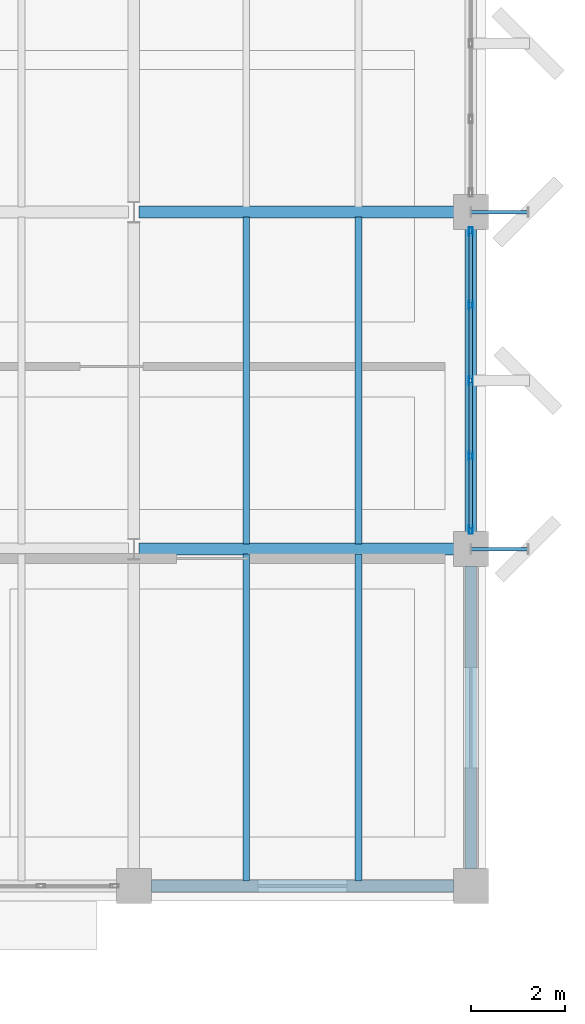
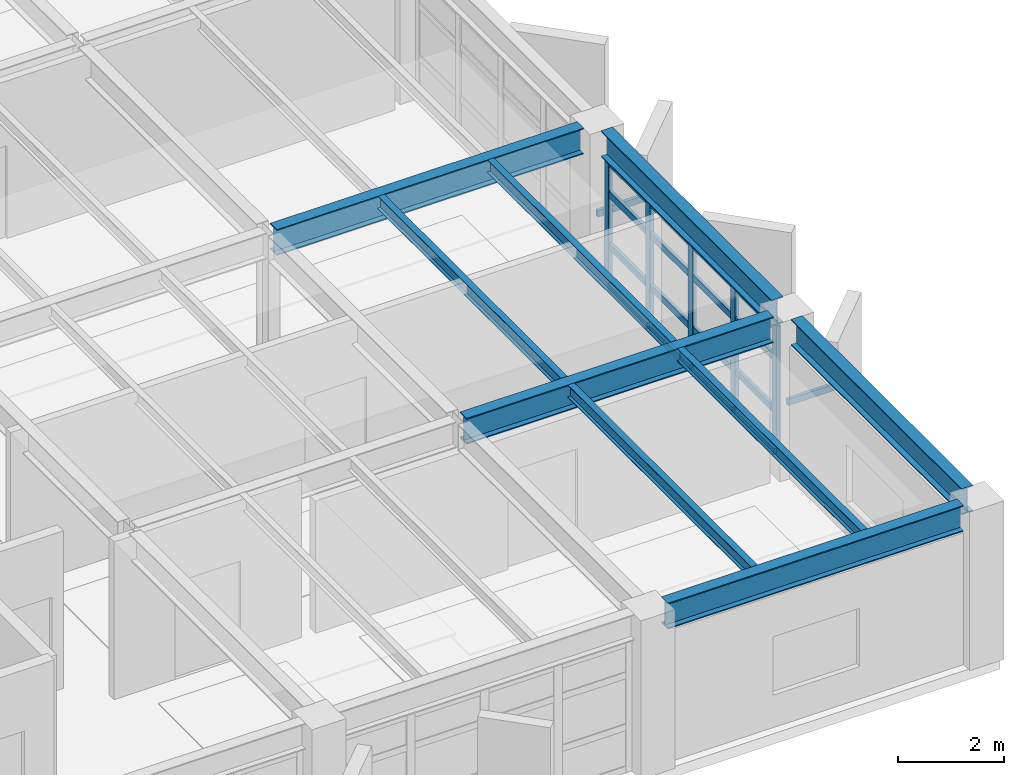
# One storey, part 12 of 24: 23 members, 9 beams, 1 element without a shape of its own.
"""IFC4 building model written with IfcOpenShell, lengths in metres."""

from ifc_helpers import new_model, si_unit, direction, frame, origin, origin_2d, place, context, subcontext, project, spatial, hollow_rectangle, i_section, extrude, material, layer, layer_set, material_profile, profile_set, type_object, element, aggregate, save


model = new_model("IFC4")

# Units and contexts
model_context = context("Model", 3, precision=1e-05, world=origin(), true_north=direction((0.0, 1.0)))
body_context = subcontext(model_context, "Body", "Model", "MODEL_VIEW")
ifc_project = project(units=[si_unit("LENGTHUNIT", "METRE"), si_unit("AREAUNIT", "SQUARE_METRE"), si_unit("VOLUMEUNIT", "CUBIC_METRE"), si_unit("PLANEANGLEUNIT", "RADIAN"), si_unit("MASSUNIT", "GRAM", prefix="KILO")], contexts=[model_context])

# Site, building, storey
site_placement = place(None, origin())
site = spatial("IfcSite", under=ifc_project, at=site_placement, CompositionType="ELEMENT")
building_placement = place(site_placement, origin())
building = spatial("IfcBuilding", under=site, at=building_placement, Name="Kandorven Conservatory and Botanical Research Centre", CompositionType="ELEMENT")
storey_placement = place(building_placement, frame((0.0, 0.0, 21.0)))
storey = spatial("IfcBuildingStorey", under=building, at=storey_placement, Name="L05", CompositionType="ELEMENT", Elevation=21.0)

# Beams
ifc_material_1 = material(Name="Steel S355 (IS 2062 E350)", Category="steel")
ifc_material_profile_1 = material_profile(ifc_material_1, i_section(OverallWidth=0.25, OverallDepth=0.60009765625, WebThickness=0.01171875, FlangeThickness=0.023681640625, at=origin_2d()))
ifc_profile_set_1 = profile_set([ifc_material_profile_1], Name="Steel S355 (IS 2062 E350)")
beam_type_1 = type_object("IfcBeamType", Name="Beam_FG-01", PredefinedType="USERDEFINED", material=ifc_profile_set_1)
beam_placement = place(storey_placement, frame((35.1650390625, 6.0, 3.3701171875), z_axis=(1.0, 0.0, 0.0), x_axis=(0.0, 1.0, 0.0)))
element("IfcBeam", 1, at=beam_placement, inside=storey, type_object=beam_type_1, Name="Primary girder FG-01 TWR L05", ObjectType="GIRDER", PredefinedType="USERDEFINED", context=body_context, shape_type="SweptSolid", body=[
    extrude(i_section(OverallWidth=0.25, OverallDepth=0.60009765625, WebThickness=0.01171875, FlangeThickness=0.023681640625, at=origin_2d()), origin(), (0.0, 0.0, 1.0), 6.469970703125),
])
for number, where, z_axis, x_axis, name in (
    (2, (34.9150390625, 13.199951171875, 3.3701171875), (1.0, 0.0, 0.0), (0.0, 1.0, 0.0), "Primary girder FG-01 TWR L05"),
    (3, (34.9150390625, 20.39990234375, 3.3701171875), (1.0, 0.0, 0.0), (0.0, 1.0, 0.0), "Primary girder FG-01 TWR L05"),
):
    element("IfcBeam", number, at=place(storey_placement, frame(where, z_axis=z_axis, x_axis=x_axis)), inside=storey, type_object=beam_type_1, Name=name, ObjectType="GIRDER", PredefinedType="USERDEFINED", context=body_context, shape_type="SweptSolid", body=[
        extrude(i_section(OverallWidth=0.25, OverallDepth=0.60009765625, WebThickness=0.01171875, FlangeThickness=0.023681640625, at=origin_2d()), origin(), (0.0, 0.0, 1.0), 6.719970703125),
    ])
for number, where, z_axis, x_axis, name in (
    (4, (42.0, 6.364990234375, 3.3701171875), (0.0, 1.0, 0.0), (-1.0, 0.0, 0.0), "Primary girder FG-01 TWR L05"),
    (5, (42.0, 13.56494140625, 3.3701171875), (0.0, 1.0, 0.0), (-1.0, 0.0, 0.0), "Primary girder FG-01 TWR L05"),
):
    element("IfcBeam", number, at=place(storey_placement, frame(where, z_axis=z_axis, x_axis=x_axis)), inside=storey, type_object=beam_type_1, Name=name, ObjectType="GIRDER", PredefinedType="USERDEFINED", context=body_context, shape_type="SweptSolid", body=[
        extrude(i_section(OverallWidth=0.25, OverallDepth=0.60009765625, WebThickness=0.01171875, FlangeThickness=0.023681640625, at=origin_2d()), origin(), (0.0, 0.0, 1.0), 6.469970703125),
    ])
ifc_material_2 = material(Name="Steel S355 (IS 2062 E350)", Category="steel")
ifc_material_profile_2 = material_profile(ifc_material_2, i_section(OverallWidth=0.139892578125, OverallDepth=0.300048828125, WebThickness=0.0078125, FlangeThickness=0.01318359375, at=origin_2d()))
ifc_profile_set_2 = profile_set([ifc_material_profile_2], Name="Steel S355 (IS 2062 E350)")
beam_type_2 = type_object("IfcBeamType", Name="Beam_SB-07", PredefinedType="BEAM", material=ifc_profile_set_2)
for number, where, z_axis, x_axis, name in (
    (6, (37.199951171875, 6.110107421875, 3.52001953125), (0.0, 1.0, 0.0), (-1.0, 0.0, 0.0), "Composite secondary beam SB-07 TWR L05"),
    (7, (39.60009765625, 6.110107421875, 3.52001953125), (0.0, 1.0, 0.0), (-1.0, 0.0, 0.0), "Composite secondary beam SB-07 TWR L05"),
    (8, (37.199951171875, 13.31005859375, 3.52001953125), (0.0, 1.0, 0.0), (-1.0, 0.0, 0.0), "Composite secondary beam SB-07 TWR L05"),
    (9, (39.60009765625, 13.31005859375, 3.52001953125), (0.0, 1.0, 0.0), (-1.0, 0.0, 0.0), "Composite secondary beam SB-07 TWR L05"),
):
    element("IfcBeam", number, at=place(storey_placement, frame(where, z_axis=z_axis, x_axis=x_axis)), inside=storey, type_object=beam_type_2, Name=name, PredefinedType="BEAM", context=body_context, shape_type="SweptSolid", body=[
        extrude(i_section(OverallWidth=0.139892578125, OverallDepth=0.300048828125, WebThickness=0.0078125, FlangeThickness=0.01318359375, at=origin_2d()), origin(), (0.0, 0.0, 1.0), 6.97998046875),
    ])

# Curtain wall, members
ifc_material_3 = material(Name="Bronze anodised thermally broken aluminium", Category="aluminium")
ifc_layer = layer(ifc_material_3, 0.179931640625)
ifc_layer_set = layer_set([ifc_layer], Name="Bronze anodised thermally broken aluminium")
curtain_wall_type = type_object("IfcCurtainWallType", Name="CW_Unitised", PredefinedType="USERDEFINED", material=ifc_layer_set)
curtain_wall_placement = place(storey_placement, origin())
curtain_wall = element("IfcCurtainWall", 10, at=curtain_wall_placement, inside=storey, type_object=curtain_wall_type, Name="Tower laboratory curtain wall CW-TWR-E-L05-2", ObjectType="UNITISED GLAZING", PredefinedType="USERDEFINED")
ifc_material_4 = material(Name="Bronze anodised thermally broken aluminium", Category="aluminium")
ifc_material_profile_3 = material_profile(ifc_material_4, hollow_rectangle(XDim=0.080078125, YDim=0.179931640625, WallThickness=0.006103515625, at=origin_2d()))
ifc_profile_set_3 = profile_set([ifc_material_profile_3], Name="Bronze anodised thermally broken aluminium")
member_type_1 = type_object("IfcMemberType", Name="CW_Mullion", PredefinedType="MULLION", material=ifc_profile_set_3)
member_1_placement = place(storey_placement, frame((42.0, 13.614990234375, 0.0), z_axis=(0.0, 0.0, 1.0), x_axis=(-1.0, 0.0, 0.0)))
member_1 = element("IfcMember", 11, at=member_1_placement, type_object=member_type_1, Name="CW-01 mullion 1", PredefinedType="MULLION", context=body_context, shape_type="SweptSolid", body=[
    extrude(hollow_rectangle(XDim=0.080078125, YDim=0.179931640625, WallThickness=0.006103515625, at=origin_2d()), origin(), (0.0, 0.0, 1.0), 3.050048828125),
])
member_2_placement = place(storey_placement, frame((42.0, 15.1875, 0.0), z_axis=(0.0, 0.0, 1.0), x_axis=(-1.0, 0.0, 0.0)))
member_2 = element("IfcMember", 12, at=member_2_placement, type_object=member_type_1, Name="CW-01 mullion 2", PredefinedType="MULLION", context=body_context, shape_type="SweptSolid", body=[
    extrude(hollow_rectangle(XDim=0.080078125, YDim=0.179931640625, WallThickness=0.006103515625, at=origin_2d()), origin(), (0.0, 0.0, 1.0), 3.050048828125),
])
member_3_placement = place(storey_placement, frame((42.0, 16.800048828125, 0.0), z_axis=(0.0, 0.0, 1.0), x_axis=(-1.0, 0.0, 0.0)))
member_3 = element("IfcMember", 13, at=member_3_placement, type_object=member_type_1, Name="CW-01 mullion 3", PredefinedType="MULLION", context=body_context, shape_type="SweptSolid", body=[
    extrude(hollow_rectangle(XDim=0.080078125, YDim=0.179931640625, WallThickness=0.006103515625, at=origin_2d()), origin(), (0.0, 0.0, 1.0), 3.050048828125),
])
member_4_placement = place(storey_placement, frame((42.0, 18.41259765625, 0.0), z_axis=(0.0, 0.0, 1.0), x_axis=(-1.0, 0.0, 0.0)))
member_4 = element("IfcMember", 14, at=member_4_placement, type_object=member_type_1, Name="CW-01 mullion 4", PredefinedType="MULLION", context=body_context, shape_type="SweptSolid", body=[
    extrude(hollow_rectangle(XDim=0.080078125, YDim=0.179931640625, WallThickness=0.006103515625, at=origin_2d()), origin(), (0.0, 0.0, 1.0), 3.050048828125),
])
member_5_placement = place(storey_placement, frame((42.0, 19.985107421875, 0.0), z_axis=(0.0, 0.0, 1.0), x_axis=(-1.0, 0.0, 0.0)))
member_5 = element("IfcMember", 15, at=member_5_placement, type_object=member_type_1, Name="CW-01 mullion 5", PredefinedType="MULLION", context=body_context, shape_type="SweptSolid", body=[
    extrude(hollow_rectangle(XDim=0.080078125, YDim=0.179931640625, WallThickness=0.006103515625, at=origin_2d()), origin(), (0.0, 0.0, 1.0), 3.050048828125),
])
ifc_material_5 = material(Name="Bronze anodised thermally broken aluminium", Category="aluminium")
ifc_material_profile_4 = material_profile(ifc_material_5, hollow_rectangle(XDim=0.074951171875, YDim=0.14990234375, WallThickness=0.006103515625, at=origin_2d()))
ifc_profile_set_4 = profile_set([ifc_material_profile_4], Name="Bronze anodised thermally broken aluminium")
member_type_2 = type_object("IfcMemberType", Name="CW_Transom", PredefinedType="USERDEFINED", material=ifc_profile_set_4)
member_6_placement = place(storey_placement, frame((42.0, 13.655029296875, 0.074951171875), z_axis=(0.0, 1.0, 0.0), x_axis=(-1.0, 0.0, 0.0)))
member_6 = element("IfcMember", 16, at=member_6_placement, type_object=member_type_2, Name="CW-01 transom 1.1", ObjectType="TRANSOM", PredefinedType="USERDEFINED", context=body_context, shape_type="SweptSolid", body=[
    extrude(hollow_rectangle(XDim=0.074951171875, YDim=0.14990234375, WallThickness=0.006103515625, at=origin_2d()), origin(), (0.0, 0.0, 1.0), 1.492431640625),
])
member_7_placement = place(storey_placement, frame((42.0, 13.655029296875, 1.050048828125), z_axis=(0.0, 1.0, 0.0), x_axis=(-1.0, 0.0, 0.0)))
member_7 = element("IfcMember", 17, at=member_7_placement, type_object=member_type_2, Name="CW-01 transom 1.2", ObjectType="TRANSOM", PredefinedType="USERDEFINED", context=body_context, shape_type="SweptSolid", body=[
    extrude(hollow_rectangle(XDim=0.074951171875, YDim=0.14990234375, WallThickness=0.006103515625, at=origin_2d()), origin(), (0.0, 0.0, 1.0), 1.492431640625),
])
member_8_placement = place(storey_placement, frame((42.0, 13.655029296875, 2.25), z_axis=(0.0, 1.0, 0.0), x_axis=(-1.0, 0.0, 0.0)))
member_8 = element("IfcMember", 18, at=member_8_placement, type_object=member_type_2, Name="CW-01 transom 1.3", ObjectType="TRANSOM", PredefinedType="USERDEFINED", context=body_context, shape_type="SweptSolid", body=[
    extrude(hollow_rectangle(XDim=0.074951171875, YDim=0.14990234375, WallThickness=0.006103515625, at=origin_2d()), origin(), (0.0, 0.0, 1.0), 1.492431640625),
])
member_9_placement = place(storey_placement, frame((42.0, 13.655029296875, 2.97509765625), z_axis=(0.0, 1.0, 0.0), x_axis=(-1.0, 0.0, 0.0)))
member_9 = element("IfcMember", 19, at=member_9_placement, type_object=member_type_2, Name="CW-01 transom 1.4", ObjectType="TRANSOM", PredefinedType="USERDEFINED", context=body_context, shape_type="SweptSolid", body=[
    extrude(hollow_rectangle(XDim=0.074951171875, YDim=0.14990234375, WallThickness=0.006103515625, at=origin_2d()), origin(), (0.0, 0.0, 1.0), 1.492431640625),
])
member_10_placement = place(storey_placement, frame((42.0, 15.2275390625, 0.074951171875), z_axis=(0.0, 1.0, 0.0), x_axis=(-1.0, 0.0, 0.0)))
member_10 = element("IfcMember", 20, at=member_10_placement, type_object=member_type_2, Name="CW-01 transom 2.1", ObjectType="TRANSOM", PredefinedType="USERDEFINED", context=body_context, shape_type="SweptSolid", body=[
    extrude(hollow_rectangle(XDim=0.074951171875, YDim=0.14990234375, WallThickness=0.006103515625, at=origin_2d()), origin(), (0.0, 0.0, 1.0), 1.532470703125),
])
member_11_placement = place(storey_placement, frame((42.0, 15.2275390625, 1.050048828125), z_axis=(0.0, 1.0, 0.0), x_axis=(-1.0, 0.0, 0.0)))
member_11 = element("IfcMember", 21, at=member_11_placement, type_object=member_type_2, Name="CW-01 transom 2.2", ObjectType="TRANSOM", PredefinedType="USERDEFINED", context=body_context, shape_type="SweptSolid", body=[
    extrude(hollow_rectangle(XDim=0.074951171875, YDim=0.14990234375, WallThickness=0.006103515625, at=origin_2d()), origin(), (0.0, 0.0, 1.0), 1.532470703125),
])
member_12_placement = place(storey_placement, frame((42.0, 15.2275390625, 2.25), z_axis=(0.0, 1.0, 0.0), x_axis=(-1.0, 0.0, 0.0)))
member_12 = element("IfcMember", 22, at=member_12_placement, type_object=member_type_2, Name="CW-01 transom 2.3", ObjectType="TRANSOM", PredefinedType="USERDEFINED", context=body_context, shape_type="SweptSolid", body=[
    extrude(hollow_rectangle(XDim=0.074951171875, YDim=0.14990234375, WallThickness=0.006103515625, at=origin_2d()), origin(), (0.0, 0.0, 1.0), 1.532470703125),
])
member_13_placement = place(storey_placement, frame((42.0, 15.2275390625, 2.97509765625), z_axis=(0.0, 1.0, 0.0), x_axis=(-1.0, 0.0, 0.0)))
member_13 = element("IfcMember", 23, at=member_13_placement, type_object=member_type_2, Name="CW-01 transom 2.4", ObjectType="TRANSOM", PredefinedType="USERDEFINED", context=body_context, shape_type="SweptSolid", body=[
    extrude(hollow_rectangle(XDim=0.074951171875, YDim=0.14990234375, WallThickness=0.006103515625, at=origin_2d()), origin(), (0.0, 0.0, 1.0), 1.532470703125),
])
member_14_placement = place(storey_placement, frame((42.0, 16.840087890625, 0.074951171875), z_axis=(0.0, 1.0, 0.0), x_axis=(-1.0, 0.0, 0.0)))
member_14 = element("IfcMember", 24, at=member_14_placement, type_object=member_type_2, Name="CW-01 transom 3.1", ObjectType="TRANSOM", PredefinedType="USERDEFINED", context=body_context, shape_type="SweptSolid", body=[
    extrude(hollow_rectangle(XDim=0.074951171875, YDim=0.14990234375, WallThickness=0.006103515625, at=origin_2d()), origin(), (0.0, 0.0, 1.0), 1.532470703125),
])
member_15_placement = place(storey_placement, frame((42.0, 16.840087890625, 1.050048828125), z_axis=(0.0, 1.0, 0.0), x_axis=(-1.0, 0.0, 0.0)))
member_15 = element("IfcMember", 25, at=member_15_placement, type_object=member_type_2, Name="CW-01 transom 3.2", ObjectType="TRANSOM", PredefinedType="USERDEFINED", context=body_context, shape_type="SweptSolid", body=[
    extrude(hollow_rectangle(XDim=0.074951171875, YDim=0.14990234375, WallThickness=0.006103515625, at=origin_2d()), origin(), (0.0, 0.0, 1.0), 1.532470703125),
])
member_16_placement = place(storey_placement, frame((42.0, 16.840087890625, 2.25), z_axis=(0.0, 1.0, 0.0), x_axis=(-1.0, 0.0, 0.0)))
member_16 = element("IfcMember", 26, at=member_16_placement, type_object=member_type_2, Name="CW-01 transom 3.3", ObjectType="TRANSOM", PredefinedType="USERDEFINED", context=body_context, shape_type="SweptSolid", body=[
    extrude(hollow_rectangle(XDim=0.074951171875, YDim=0.14990234375, WallThickness=0.006103515625, at=origin_2d()), origin(), (0.0, 0.0, 1.0), 1.532470703125),
])
member_17_placement = place(storey_placement, frame((42.0, 16.840087890625, 2.97509765625), z_axis=(0.0, 1.0, 0.0), x_axis=(-1.0, 0.0, 0.0)))
member_17 = element("IfcMember", 27, at=member_17_placement, type_object=member_type_2, Name="CW-01 transom 3.4", ObjectType="TRANSOM", PredefinedType="USERDEFINED", context=body_context, shape_type="SweptSolid", body=[
    extrude(hollow_rectangle(XDim=0.074951171875, YDim=0.14990234375, WallThickness=0.006103515625, at=origin_2d()), origin(), (0.0, 0.0, 1.0), 1.532470703125),
])
member_18_placement = place(storey_placement, frame((42.0, 18.452392578125, 0.074951171875), z_axis=(0.0, 1.0, 0.0), x_axis=(-1.0, 0.0, 0.0)))
member_18 = element("IfcMember", 28, at=member_18_placement, type_object=member_type_2, Name="CW-01 transom 4.1", ObjectType="TRANSOM", PredefinedType="USERDEFINED", context=body_context, shape_type="SweptSolid", body=[
    extrude(hollow_rectangle(XDim=0.074951171875, YDim=0.14990234375, WallThickness=0.006103515625, at=origin_2d()), origin(), (0.0, 0.0, 1.0), 1.49267578125),
])
member_19_placement = place(storey_placement, frame((42.0, 18.452392578125, 1.050048828125), z_axis=(0.0, 1.0, 0.0), x_axis=(-1.0, 0.0, 0.0)))
member_19 = element("IfcMember", 29, at=member_19_placement, type_object=member_type_2, Name="CW-01 transom 4.2", ObjectType="TRANSOM", PredefinedType="USERDEFINED", context=body_context, shape_type="SweptSolid", body=[
    extrude(hollow_rectangle(XDim=0.074951171875, YDim=0.14990234375, WallThickness=0.006103515625, at=origin_2d()), origin(), (0.0, 0.0, 1.0), 1.49267578125),
])
member_20_placement = place(storey_placement, frame((42.0, 18.452392578125, 2.25), z_axis=(0.0, 1.0, 0.0), x_axis=(-1.0, 0.0, 0.0)))
member_20 = element("IfcMember", 30, at=member_20_placement, type_object=member_type_2, Name="CW-01 transom 4.3", ObjectType="TRANSOM", PredefinedType="USERDEFINED", context=body_context, shape_type="SweptSolid", body=[
    extrude(hollow_rectangle(XDim=0.074951171875, YDim=0.14990234375, WallThickness=0.006103515625, at=origin_2d()), origin(), (0.0, 0.0, 1.0), 1.49267578125),
])
member_21_placement = place(storey_placement, frame((42.0, 18.452392578125, 2.97509765625), z_axis=(0.0, 1.0, 0.0), x_axis=(-1.0, 0.0, 0.0)))
member_21 = element("IfcMember", 31, at=member_21_placement, type_object=member_type_2, Name="CW-01 transom 4.4", ObjectType="TRANSOM", PredefinedType="USERDEFINED", context=body_context, shape_type="SweptSolid", body=[
    extrude(hollow_rectangle(XDim=0.074951171875, YDim=0.14990234375, WallThickness=0.006103515625, at=origin_2d()), origin(), (0.0, 0.0, 1.0), 1.49267578125),
])
aggregate(curtain_wall, [member_1, member_2, member_3, member_4, member_5, member_6, member_7, member_8, member_9, member_10, member_11, member_12, member_13, member_14, member_15, member_16, member_17, member_18, member_19, member_20, member_21])

# Members
ifc_material_6 = material(Name="Steel S355 (IS 2062 E350)", Category="steel")
ifc_material_profile_5 = material_profile(ifc_material_6, hollow_rectangle(XDim=0.074951171875, YDim=0.14990234375, WallThickness=0.006103515625, at=origin_2d()))
ifc_profile_set_5 = profile_set([ifc_material_profile_5], Name="Steel S355 (IS 2062 E350)")
member_type_3 = type_object("IfcMemberType", Name="Mem_SF-01", PredefinedType="STRUT", material=ifc_profile_set_5)
for number, where, z_axis, x_axis, name in (
    (32, (42.0, 13.199951171875, 1.5), (1.0, 0.0, 0.0), (0.0, 1.0, 0.0), "Solar fin steel outrigger strut SF-01 #55"),
    (33, (42.0, 20.39990234375, 1.5), (1.0, 0.0, 0.0), (0.0, 1.0, 0.0), "Solar fin steel outrigger strut SF-01 #57"),
):
    element("IfcMember", number, at=place(storey_placement, frame(where, z_axis=z_axis, x_axis=x_axis)), inside=storey, type_object=member_type_3, Name=name, PredefinedType="STRUT", context=body_context, shape_type="SweptSolid", body=[
        extrude(hollow_rectangle(XDim=0.074951171875, YDim=0.14990234375, WallThickness=0.006103515625, at=origin_2d()), origin(), (0.0, 0.0, 1.0), 1.219970703125),
    ])

save(model, "model.ifc")
